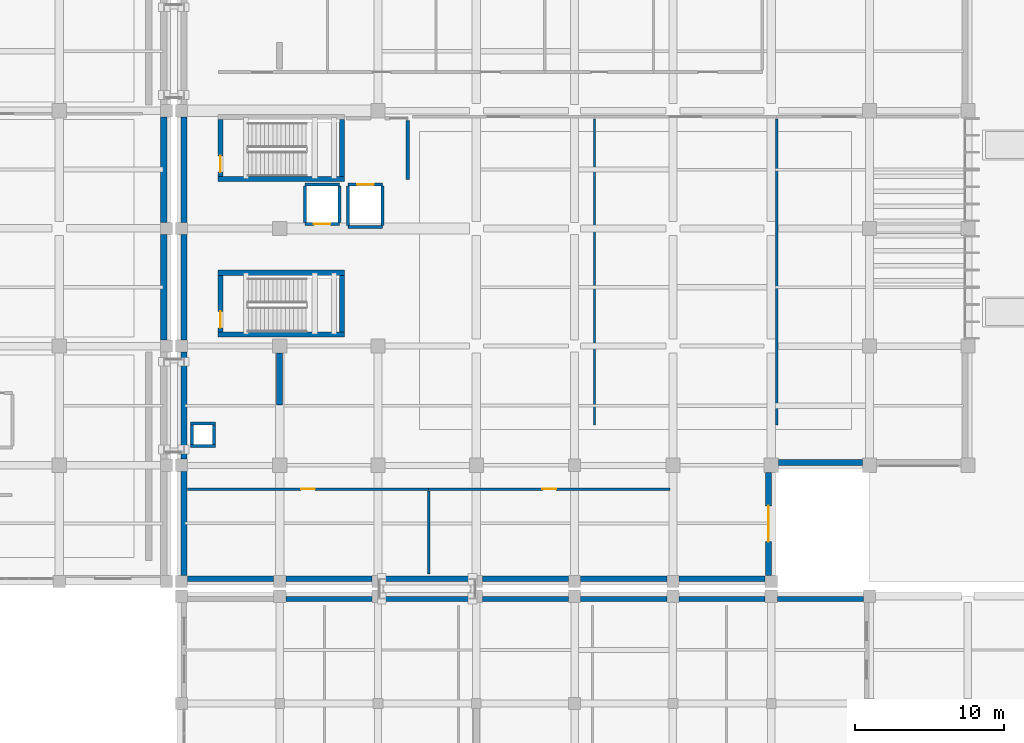
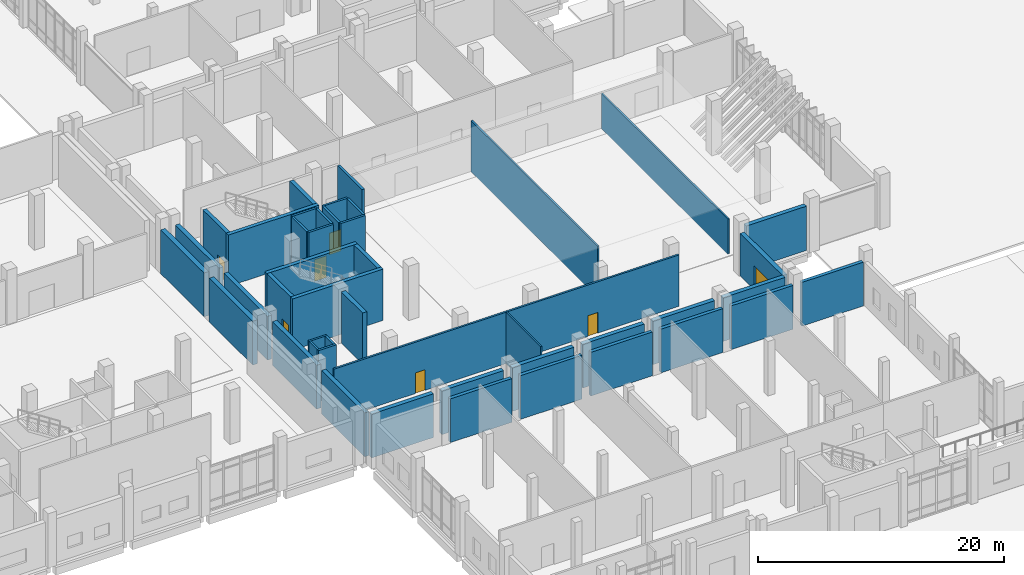
# One storey, part 55 of 79: 46 walls, 7 doors, 7 openings.
"""IFC4 building model written with IfcOpenShell, lengths in metres."""

from ifc_helpers import new_model, si_unit, direction, frame, frame_2d, origin, place, context, subcontext, project, spatial, rectangle, extrude, material, layer, layer_set, type_object, element, fill, save


model = new_model("IFC4")

# Units and contexts
model_context = context("Model", 3, precision=1e-05, world=origin(), true_north=direction((0.0, 1.0)))
body_context = subcontext(model_context, "Body", "Model", "MODEL_VIEW")
ifc_project = project(units=[si_unit("LENGTHUNIT", "METRE"), si_unit("AREAUNIT", "SQUARE_METRE"), si_unit("VOLUMEUNIT", "CUBIC_METRE"), si_unit("PLANEANGLEUNIT", "RADIAN"), si_unit("MASSUNIT", "GRAM", prefix="KILO")], contexts=[model_context])

# Site, building, storey
site_placement = place(None, origin())
site = spatial("IfcSite", under=ifc_project, at=site_placement, CompositionType="ELEMENT")
building_placement = place(site_placement, origin())
building = spatial("IfcBuilding", under=site, at=building_placement, Name="Kelarvand Opera House", CompositionType="ELEMENT")
storey_placement = place(building_placement, origin())
storey = spatial("IfcBuildingStorey", under=building, at=storey_placement, Name="L00", CompositionType="ELEMENT", Elevation=0.0)

# Walls
ifc_material_1 = material(Name="Concrete C35/45", Category="concrete")
ifc_layer_1 = layer(ifc_material_1, 0.39990234375, Name="Concrete C35/45", Category="concrete")
ifc_layer_set_1 = layer_set([ifc_layer_1], Name="Concrete C35/45")
wall_type_1 = type_object("IfcWallType", Name="Acoustic Brick-Travertine Double Wall 400", PredefinedType="SOLIDWALL", material=ifc_layer_set_1)
for number, where, z_axis, x_axis, name in (
    (1, (128.18994140625, 38.97998046875, 0.0), (0.0, 0.0, 1.0), (-1.0, 0.0, 0.0), "V1 L00 Exterior Wall EW-400 (57)"),
    (2, (121.590087890625, 38.97998046875, 0.0), (0.0, 0.0, 1.0), (-1.0, 0.0, 0.0), "V1 L00 Exterior Wall EW-400 (58)"),
    (3, (114.989990234375, 38.97998046875, 0.0), (0.0, 0.0, 1.0), (-1.0, 0.0, 0.0), "V1 L00 Exterior Wall EW-400 (59)"),
):
    element("IfcWall", number, at=place(storey_placement, frame(where, z_axis=z_axis, x_axis=x_axis)), inside=storey, type_object=wall_type_1, Name=name, PredefinedType="SOLIDWALL", context=body_context, shape_type="SweptSolid", body=[
        extrude(rectangle(XDim=5.780029296875, YDim=0.39990234375, at=frame_2d((2.89013671875, 0.0))), origin(), (0.0, 0.0, 1.0), 4.342041015625),
    ])
wall_1_placement = place(storey_placement, frame((108.389892578125, 38.97998046875, 0.0), z_axis=(0.0, 0.0, 1.0), x_axis=(-1.0, 0.0, 0.0)))
element("IfcWall", 4, at=wall_1_placement, inside=storey, type_object=wall_type_1, Name="V1 L00 Exterior Wall EW-400 (60)", PredefinedType="SOLIDWALL", context=body_context, shape_type="SweptSolid", body=[
    extrude(rectangle(XDim=5.77978515625, YDim=0.39990234375, at=frame_2d((2.889892578125, 0.0))), origin(), (0.0, 0.0, 1.0), 4.342041015625),
])
for number, where, z_axis, x_axis, name in (
    (5, (101.7900390625, 38.97998046875, 0.0), (0.0, 0.0, 1.0), (-1.0, 0.0, 0.0), "V1 L00 Exterior Wall EW-400 (61)"),
    (6, (95.18994140625, 38.97998046875, 0.0), (0.0, 0.0, 1.0), (-1.0, 0.0, 0.0), "V1 L00 Exterior Wall EW-400 (62)"),
):
    element("IfcWall", number, at=place(storey_placement, frame(where, z_axis=z_axis, x_axis=x_axis)), inside=storey, type_object=wall_type_1, Name=name, PredefinedType="SOLIDWALL", context=body_context, shape_type="SweptSolid", body=[
        extrude(rectangle(XDim=5.780029296875, YDim=0.39990234375, at=frame_2d((2.89013671875, 0.0))), origin(), (0.0, 0.0, 1.0), 4.342041015625),
    ])
wall_2_placement = place(storey_placement, frame((89.179931640625, 39.2099609375, 0.0), z_axis=(0.0, 0.0, 1.0), x_axis=(0.0, 1.0, 0.0)))
element("IfcWall", 7, at=wall_2_placement, inside=storey, type_object=wall_type_1, Name="V1 L00 Exterior Wall EW-400 (63)", PredefinedType="SOLIDWALL", context=body_context, shape_type="SweptSolid", body=[
    extrude(rectangle(XDim=6.97998046875, YDim=0.39990234375, at=frame_2d((3.489990234375, 0.0))), origin(), (0.0, 0.0, 1.0), 4.342041015625),
])
wall_3_placement = place(storey_placement, frame((89.179931640625, 47.010009765625, 0.0), z_axis=(0.0, 0.0, 1.0), x_axis=(0.0, 1.0, 0.0)))
element("IfcWall", 8, at=wall_3_placement, inside=storey, type_object=wall_type_1, Name="V1 L00 Exterior Wall EW-400 (64)", PredefinedType="SOLIDWALL", context=body_context, shape_type="SweptSolid", body=[
    extrude(rectangle(XDim=7.179931640625, YDim=0.39990234375, at=frame_2d((3.58984375, 0.0))), origin(), (0.0, 0.0, 1.0), 4.342041015625),
])
for number, where, z_axis, x_axis, name in (
    (9, (89.179931640625, 55.010009765625, 0.0), (0.0, 0.0, 1.0), (0.0, 1.0, 0.0), "V1 L00 Exterior Wall EW-400 (65)"),
    (10, (89.179931640625, 62.909912109375, 0.0), (0.0, 0.0, 1.0), (0.0, 1.0, 0.0), "V1 L00 Exterior Wall EW-400 (66)"),
):
    element("IfcWall", number, at=place(storey_placement, frame(where, z_axis=z_axis, x_axis=x_axis)), inside=storey, type_object=wall_type_1, Name=name, PredefinedType="SOLIDWALL", context=body_context, shape_type="SweptSolid", body=[
        extrude(rectangle(XDim=7.080078125, YDim=0.39990234375, at=frame_2d((3.5400390625, 0.0))), origin(), (0.0, 0.0, 1.0), 4.342041015625),
    ])
wall_4_placement = place(storey_placement, frame((134.72509765625, 46.780029296875, 0.0), z_axis=(0.0, 0.0, 1.0), x_axis=(-1.0, 0.0, 0.0)))
element("IfcWall", 11, at=wall_4_placement, inside=storey, type_object=wall_type_1, Name="V1 L00 Exterior Wall EW-400 (81)", PredefinedType="SOLIDWALL", context=body_context, shape_type="SweptSolid", body=[
    extrude(rectangle(XDim=5.650146484375, YDim=0.39990234375, at=frame_2d((2.8251953125, 0.0))), origin(), (0.0, 0.0, 1.0), 4.39208984375),
])

# Wall, opening, door
wall_5_placement = place(storey_placement, frame((128.419921875, 46.125, 0.0), z_axis=(0.0, 0.0, 1.0), x_axis=(0.0, -1.0, 0.0)))
wall_5 = element("IfcWall", 12, at=wall_5_placement, inside=storey, type_object=wall_type_1, Name="V1 L00 Exterior Wall EW-400 (82)", PredefinedType="SOLIDWALL", context=body_context, shape_type="SweptSolid", body=[
    extrude(rectangle(XDim=6.9150390625, YDim=0.39990234375, at=frame_2d((3.45751953125, 0.0))), origin(), (0.0, 0.0, 1.0), 4.241943359375),
])
opening_1_placement = place(wall_5_placement, frame((2.257080078125, 0.0, 0.0)))
opening_1 = element("IfcOpeningElement", 13, at=opening_1_placement, cuts=wall_5, Name="Opening EX-240", PredefinedType="OPENING", context=body_context, shape_type="SweptSolid", body=[
    extrude(rectangle(XDim=2.39990234375, YDim=2.39990234375, at=frame_2d((1.199951171875, 1.199951171875))), frame((0.0, 0.2099609375, 0.0), z_axis=(0.0, -1.0, 0.0), x_axis=(1.0, 0.0, 0.0)), (0.0, 0.0, 1.0), 0.419921875),
])
ifc_material_2 = material(Name="Thermally broken bronze-anodised aluminium and safety glass", Category="aluminium")
door_type_1 = type_object("IfcDoorType", Name="Glazed Bronze Double Final Exit Door 2400x2400", OperationType="NOTDEFINED", PredefinedType="DOOR", material=ifc_material_2)
door_1_placement = place(opening_1_placement, origin())
door_1 = element("IfcDoor", 14, at=door_1_placement, inside=storey, type_object=door_type_1, Name="V1 Ground Final Exit Door E01", OperationType="DOUBLE_DOOR_SINGLE_SWING", OverallHeight=2.39990234375, OverallWidth=2.39990234375, PredefinedType="DOOR", context=body_context, shape_type="SweptSolid", body=[
    extrude(rectangle(XDim=2.39990234375, YDim=2.39990234375, at=frame_2d((1.199951171875, 1.199951171875))), frame((0.0, 0.02490234375, 0.0), z_axis=(0.0, -1.0, 0.0), x_axis=(1.0, 0.0, 0.0)), (0.0, 0.0, 1.0), 0.050048828125),
])
fill(opening_1, door_1)

# Walls
ifc_material_3 = material(Name="Acoustic double-stud gypsum partition")
ifc_layer_2 = layer(ifc_material_3, 0.14990234375, Name="Acoustic double-stud gypsum partition")
ifc_layer_set_2 = layer_set([ifc_layer_2], Name="Acoustic double-stud gypsum partition")
wall_type_2 = type_object("IfcWallType", Name="Acoustic Room Partition Wall 150", PredefinedType="PARTITIONING", material=ifc_layer_set_2)
wall_6_placement = place(storey_placement, frame((116.73291015625, 49.300048828125, 0.0), z_axis=(0.0, 0.0, 1.0), x_axis=(0.0, 1.0, 0.0)))
element("IfcWall", 15, at=wall_6_placement, inside=storey, type_object=wall_type_2, Name="V1 L00 Partition Wall IW-150 (245)", PredefinedType="PARTITIONING", context=body_context, shape_type="SweptSolid", body=[
    extrude(rectangle(XDim=20.56005859375, YDim=0.14990234375, at=frame_2d((10.280029296875, 0.0))), origin(), (0.0, 0.0, 1.0), 5.092041015625),
])
wall_7_placement = place(storey_placement, frame((128.967041015625, 49.300048828125, 0.0), z_axis=(0.0, 0.0, 1.0), x_axis=(0.0, 1.0, 0.0)))
element("IfcWall", 16, at=wall_7_placement, inside=storey, type_object=wall_type_2, Name="V1 L00 Partition Wall IW-150 (247)", PredefinedType="PARTITIONING", context=body_context, shape_type="SweptSolid", body=[
    extrude(rectangle(XDim=20.56005859375, YDim=0.14990234375, at=frame_2d((10.280029296875, 0.0))), origin(), (0.0, 0.0, 1.0), 3.491943359375),
])
wall_8_placement = place(storey_placement, frame((105.60009765625, 39.300048828125, 0.0), z_axis=(0.0, 0.0, 1.0), x_axis=(0.0, 1.0, 0.0)))
element("IfcWall", 17, at=wall_8_placement, inside=storey, type_object=wall_type_2, Name="V1 L00 Partition Wall IW-150 (261)", PredefinedType="PARTITIONING", context=body_context, shape_type="SweptSolid", body=[
    extrude(rectangle(XDim=5.56005859375, YDim=0.14990234375, at=frame_2d((2.780029296875, 0.0))), origin(), (0.0, 0.0, 1.0), 5.092041015625),
])
ifc_material_4 = material(Name="Concrete C40/50", Category="concrete")
ifc_layer_3 = layer(ifc_material_4, 0.35009765625, Name="Concrete C40/50", Category="concrete")
ifc_layer_set_3 = layer_set([ifc_layer_3], Name="Concrete C40/50")
wall_type_3 = type_object("IfcWallType", Name="Core Stair and Lift Shear Wall 350", PredefinedType="SHEAR", material=ifc_layer_set_3)
wall_9_placement = place(storey_placement, frame((91.449951171875, 65.824951171875, 0.0), z_axis=(0.0, 0.0, 1.0), x_axis=(1.0, 0.0, 0.0)))
element("IfcWall", 18, at=wall_9_placement, inside=storey, type_object=wall_type_3, Name="C1 Stair Core Shear Wall S L00", PredefinedType="SHEAR", context=body_context, shape_type="SweptSolid", body=[
    extrude(rectangle(XDim=8.5, YDim=0.35009765625, at=frame_2d((4.25, 0.0))), origin(), (0.0, 0.0, 1.0), 5.10009765625),
])

# Wall, opening, door
wall_10_placement = place(storey_placement, frame((91.625, 66.0, 0.0), z_axis=(0.0, 0.0, 1.0), x_axis=(0.0, 1.0, 0.0)))
wall_10 = element("IfcWall", 19, at=wall_10_placement, inside=storey, type_object=wall_type_3, Name="C1 Stair Core Shear Wall W L00", PredefinedType="SHEAR", context=body_context, shape_type="SweptSolid", body=[
    extrude(rectangle(XDim=3.800048828125, YDim=0.35009765625, at=frame_2d((1.89990234375, 0.0))), origin(), (0.0, 0.0, 1.0), 5.10009765625),
])
opening_2_placement = place(wall_10_placement, frame((0.280029296875, 0.0, 0.0)))
opening_2 = element("IfcOpeningElement", 20, at=opening_2_placement, cuts=wall_10, Name="Opening FD-01", PredefinedType="OPENING", context=body_context, shape_type="SweptSolid", body=[
    extrude(rectangle(XDim=1.10009765625, YDim=2.080078125, at=frame_2d((0.550048828125, 1.0400390625))), frame((0.0, 0.18505859375, 0.0), z_axis=(0.0, -1.0, 0.0), x_axis=(1.0, 0.0, 0.0)), (0.0, 0.0, 1.0), 0.3701171875),
])
ifc_material_5 = material(Name="Fire-rated brushed stainless steel", Category="steel")
door_type_2 = type_object("IfcDoorType", Name="Steel Fire-Rated Stair and FF Lobby Door 1100x2080", OperationType="NOTDEFINED", PredefinedType="DOOR", material=ifc_material_5)
door_2_placement = place(opening_2_placement, origin())
door_2 = element("IfcDoor", 21, at=door_2_placement, inside=storey, type_object=door_type_2, Name="C1 Stair ST-01 Fire Door L00", OperationType="SINGLE_SWING_RIGHT", OverallHeight=2.080078125, OverallWidth=1.10009765625, PredefinedType="DOOR", context=body_context, shape_type="SweptSolid", body=[
    extrude(rectangle(XDim=1.10009765625, YDim=2.080078125, at=frame_2d((0.550048828125, 1.0400390625))), frame((0.0, 0.02490234375, 0.0), z_axis=(0.0, -1.0, 0.0), x_axis=(1.0, 0.0, 0.0)), (0.0, 0.0, 1.0), 0.050048828125),
])
fill(opening_2, door_2)

# Walls
wall_11_placement = place(storey_placement, frame((99.77490234375, 69.800048828125, 0.0), z_axis=(0.0, 0.0, 1.0), x_axis=(0.0, -1.0, 0.0)))
element("IfcWall", 22, at=wall_11_placement, inside=storey, type_object=wall_type_3, Name="C1 Stair Core Shear Wall E L00", PredefinedType="SHEAR", context=body_context, shape_type="SweptSolid", body=[
    extrude(rectangle(XDim=3.800048828125, YDim=0.35009765625, at=frame_2d((1.89990234375, 0.0))), origin(), (0.0, 0.0, 1.0), 5.10009765625),
])
for number, where, z_axis, x_axis, name in (
    (23, (91.449951171875, 55.375, 0.0), (0.0, 0.0, 1.0), (1.0, 0.0, 0.0), "C4 Stair Core Shear Wall S L00"),
    (24, (99.949951171875, 59.52490234375, 0.0), (0.0, 0.0, 1.0), (-1.0, 0.0, 0.0), "C4 Stair Core Shear Wall N L00"),
):
    element("IfcWall", number, at=place(storey_placement, frame(where, z_axis=z_axis, x_axis=x_axis)), inside=storey, type_object=wall_type_3, Name=name, PredefinedType="SHEAR", context=body_context, shape_type="SweptSolid", body=[
        extrude(rectangle(XDim=8.5, YDim=0.35009765625, at=frame_2d((4.25, 0.0))), origin(), (0.0, 0.0, 1.0), 5.10009765625),
    ])

# Wall, opening, door
wall_12_placement = place(storey_placement, frame((91.625, 55.550048828125, 0.0), z_axis=(0.0, 0.0, 1.0), x_axis=(0.0, 1.0, 0.0)))
wall_12 = element("IfcWall", 25, at=wall_12_placement, inside=storey, type_object=wall_type_3, Name="C4 Stair Core Shear Wall W L00", PredefinedType="SHEAR", context=body_context, shape_type="SweptSolid", body=[
    extrude(rectangle(XDim=3.800048828125, YDim=0.35009765625, at=frame_2d((1.89990234375, 0.0))), origin(), (0.0, 0.0, 1.0), 5.10009765625),
])
opening_3_placement = place(wall_12_placement, frame((0.280029296875, 0.0, 0.0)))
opening_3 = element("IfcOpeningElement", 26, at=opening_3_placement, cuts=wall_12, Name="Opening FD-01", PredefinedType="OPENING", context=body_context, shape_type="SweptSolid", body=[
    extrude(rectangle(XDim=1.10009765625, YDim=2.080078125, at=frame_2d((0.550048828125, 1.0400390625))), frame((0.0, 0.18505859375, 0.0), z_axis=(0.0, -1.0, 0.0), x_axis=(1.0, 0.0, 0.0)), (0.0, 0.0, 1.0), 0.3701171875),
])
door_3_placement = place(opening_3_placement, origin())
door_3 = element("IfcDoor", 27, at=door_3_placement, inside=storey, type_object=door_type_2, Name="C4 Stair ST-04 Fire Door L00", OperationType="SINGLE_SWING_LEFT", OverallHeight=2.080078125, OverallWidth=1.10009765625, PredefinedType="DOOR", context=body_context, shape_type="SweptSolid", body=[
    extrude(rectangle(XDim=1.10009765625, YDim=2.080078125, at=frame_2d((0.550048828125, 1.0400390625))), frame((0.0, 0.02490234375, 0.0), z_axis=(0.0, -1.0, 0.0), x_axis=(1.0, 0.0, 0.0)), (0.0, 0.0, 1.0), 0.050048828125),
])
fill(opening_3, door_3)

# Wall
wall_13_placement = place(storey_placement, frame((99.77490234375, 59.35009765625, 0.0), z_axis=(0.0, 0.0, 1.0), x_axis=(0.0, -1.0, 0.0)))
element("IfcWall", 28, at=wall_13_placement, inside=storey, type_object=wall_type_3, Name="C4 Stair Core Shear Wall E L00", PredefinedType="SHEAR", context=body_context, shape_type="SweptSolid", body=[
    extrude(rectangle(XDim=3.800048828125, YDim=0.35009765625, at=frame_2d((1.89990234375, 0.0))), origin(), (0.0, 0.0, 1.0), 5.10009765625),
])

# Wall, opening, door
ifc_layer_4 = layer(ifc_material_1, 0.179931640625, Name="Concrete C35/45", Category="concrete")
ifc_layer_set_4 = layer_set([ifc_layer_4], Name="Concrete C35/45")
wall_type_4 = type_object("IfcWallType", Name="Corridor Fire-Rated Partition Wall 180 EI90", PredefinedType="PARTITIONING", material=ifc_layer_set_4)
wall_14_placement = place(storey_placement, frame((89.39990234375, 45.0, 0.0), z_axis=(0.0, 0.0, 1.0), x_axis=(1.0, 0.0, 0.0)))
wall_14 = element("IfcWall", 29, at=wall_14_placement, inside=storey, type_object=wall_type_4, Name="V1 L00 Partition Wall IW-90 (260)", PredefinedType="PARTITIONING", context=body_context, shape_type="SweptSolid", body=[
    extrude(rectangle(XDim=16.2001953125, YDim=0.179931640625, at=frame_2d((8.10009765625, 0.0))), origin(), (0.0, 0.0, 1.0), 5.092041015625),
])
opening_4_placement = place(wall_14_placement, frame((7.639892578125, 0.0, 0.0)))
opening_4 = element("IfcOpeningElement", 30, at=opening_4_placement, cuts=wall_14, Name="Opening D-01", PredefinedType="OPENING", context=body_context, shape_type="SweptSolid", body=[
    extrude(rectangle(XDim=0.919921875, YDim=2.050048828125, at=frame_2d((0.4599609375, 1.02490234375))), frame((0.0, 0.10009765625, 0.0), z_axis=(0.0, -1.0, 0.0), x_axis=(1.0, 0.0, 0.0)), (0.0, 0.0, 1.0), 0.199951171875),
])
ifc_material_6 = material(Name="Acoustic walnut-veneered hardwood", Category="wood")
door_type_3 = type_object("IfcDoorType", Name="Solid Timber Dressing and WC Door 920x2050", OperationType="NOTDEFINED", PredefinedType="DOOR", material=ifc_material_6)
door_4_placement = place(opening_4_placement, origin())
door_4 = element("IfcDoor", 31, at=door_4_placement, inside=storey, type_object=door_type_3, Name="V1 L00 Door D-01 (110)", OperationType="SINGLE_SWING_RIGHT", OverallHeight=2.050048828125, OverallWidth=0.919921875, PredefinedType="DOOR", context=body_context, shape_type="SweptSolid", body=[
    extrude(rectangle(XDim=0.919921875, YDim=2.050048828125, at=frame_2d((0.4599609375, 1.02490234375))), frame((0.0, 0.02490234375, 0.0), z_axis=(0.0, -1.0, 0.0), x_axis=(1.0, 0.0, 0.0)), (0.0, 0.0, 1.0), 0.050048828125),
])
fill(opening_4, door_4)

wall_15_placement = place(storey_placement, frame((105.60009765625, 45.0, 0.0), z_axis=(0.0, 0.0, 1.0), x_axis=(1.0, 0.0, 0.0)))
wall_15 = element("IfcWall", 32, at=wall_15_placement, inside=storey, type_object=wall_type_4, Name="V1 L00 Partition Wall IW-90 (262)", PredefinedType="PARTITIONING", context=body_context, shape_type="SweptSolid", body=[
    extrude(rectangle(XDim=16.199951171875, YDim=0.179931640625, at=frame_2d((8.10009765625, 0.0))), origin(), (0.0, 0.0, 1.0), 5.092041015625),
])
opening_5_placement = place(wall_15_placement, frame((7.639892578125, 0.0, 0.0)))
opening_5 = element("IfcOpeningElement", 33, at=opening_5_placement, cuts=wall_15, Name="Opening D-01", PredefinedType="OPENING", context=body_context, shape_type="SweptSolid", body=[
    extrude(rectangle(XDim=0.919921875, YDim=2.050048828125, at=frame_2d((0.4599609375, 1.02490234375))), frame((0.0, 0.10009765625, 0.0), z_axis=(0.0, -1.0, 0.0), x_axis=(1.0, 0.0, 0.0)), (0.0, 0.0, 1.0), 0.199951171875),
])
door_5_placement = place(opening_5_placement, origin())
door_5 = element("IfcDoor", 34, at=door_5_placement, inside=storey, type_object=door_type_3, Name="V1 L00 Door D-01 (111)", OperationType="SINGLE_SWING_LEFT", OverallHeight=2.050048828125, OverallWidth=0.919921875, PredefinedType="DOOR", context=body_context, shape_type="SweptSolid", body=[
    extrude(rectangle(XDim=0.919921875, YDim=2.050048828125, at=frame_2d((0.4599609375, 1.02490234375))), frame((0.0, 0.02490234375, 0.0), z_axis=(0.0, -1.0, 0.0), x_axis=(1.0, 0.0, 0.0)), (0.0, 0.0, 1.0), 0.050048828125),
])
fill(opening_5, door_5)

# Walls
ifc_layer_5 = layer(ifc_material_1, 0.239990234375, Name="Concrete C35/45", Category="concrete")
ifc_layer_set_5 = layer_set([ifc_layer_5], Name="Concrete C35/45")
wall_type_5 = type_object("IfcWallType", Name="Firefighting Lobby Partition Wall 240 EI120", PredefinedType="PARTITIONING", material=ifc_layer_set_5)
wall_16_placement = place(storey_placement, frame((104.199951171875, 69.760009765625, 0.0), z_axis=(0.0, 0.0, 1.0), x_axis=(0.0, -1.0, 0.0)))
element("IfcWall", 35, at=wall_16_placement, inside=storey, type_object=wall_type_5, Name="V1 L00 Partition Wall IW-120 (220)", PredefinedType="PARTITIONING", context=body_context, shape_type="SweptSolid", body=[
    extrude(rectangle(XDim=3.9599609375, YDim=0.239990234375, at=frame_2d((1.97998046875, 0.0))), origin(), (0.0, 0.0, 1.0), 5.092041015625),
])
ifc_layer_6 = layer(ifc_material_1, 0.320068359375, Name="Concrete C35/45", Category="concrete")
ifc_layer_set_6 = layer_set([ifc_layer_6], Name="Concrete C35/45")
wall_type_6 = type_object("IfcWallType", Name="Insulated Buff Brick Cavity Wall 320", PredefinedType="SOLIDWALL", material=ifc_layer_set_6)
wall_17_placement = place(storey_placement, frame((96.010009765625, 37.6201171875, 0.0), z_axis=(0.0, 0.0, 1.0), x_axis=(1.0, 0.0, 0.0)))
element("IfcWall", 36, at=wall_17_placement, inside=storey, type_object=wall_type_6, Name="V6 L00 Exterior Wall EW-320 (710)", PredefinedType="SOLIDWALL", context=body_context, shape_type="SweptSolid", body=[
    extrude(rectangle(XDim=5.780029296875, YDim=0.320068359375, at=frame_2d((2.89013671875, 0.0))), origin(), (0.0, 0.0, 1.0), 4.342041015625),
])
wall_18_placement = place(storey_placement, frame((102.610107421875, 37.6201171875, 0.0), z_axis=(0.0, 0.0, 1.0), x_axis=(1.0, 0.0, 0.0)))
element("IfcWall", 37, at=wall_18_placement, inside=storey, type_object=wall_type_6, Name="V6 L00 Exterior Wall EW-320 (711)", PredefinedType="SOLIDWALL", context=body_context, shape_type="SweptSolid", body=[
    extrude(rectangle(XDim=5.77978515625, YDim=0.320068359375, at=frame_2d((2.889892578125, 0.0))), origin(), (0.0, 0.0, 1.0), 4.342041015625),
])
for number, where, z_axis, x_axis, name in (
    (38, (109.2099609375, 37.6201171875, 0.0), (0.0, 0.0, 1.0), (1.0, 0.0, 0.0), "V6 L00 Exterior Wall EW-320 (712)"),
    (39, (115.81005859375, 37.6201171875, 0.0), (0.0, 0.0, 1.0), (1.0, 0.0, 0.0), "V6 L00 Exterior Wall EW-320 (713)"),
    (40, (122.409912109375, 37.6201171875, 0.0), (0.0, 0.0, 1.0), (1.0, 0.0, 0.0), "V6 L00 Exterior Wall EW-320 (714)"),
    (41, (129.010009765625, 37.6201171875, 0.0), (0.0, 0.0, 1.0), (1.0, 0.0, 0.0), "V6 L00 Exterior Wall EW-320 (715)"),
):
    element("IfcWall", number, at=place(storey_placement, frame(where, z_axis=z_axis, x_axis=x_axis)), inside=storey, type_object=wall_type_6, Name=name, PredefinedType="SOLIDWALL", context=body_context, shape_type="SweptSolid", body=[
        extrude(rectangle(XDim=5.780029296875, YDim=0.320068359375, at=frame_2d((2.89013671875, 0.0))), origin(), (0.0, 0.0, 1.0), 4.342041015625),
    ])
ifc_layer_7 = layer(ifc_material_1, 0.199951171875, Name="Concrete C35/45", Category="concrete")
ifc_layer_set_7 = layer_set([ifc_layer_7], Name="Concrete C35/45")
wall_type_7 = type_object("IfcWallType", Name="Lift and Riser Shaft Enclosure Wall 200 EI120", PredefinedType="PARTITIONING", material=ifc_layer_set_7)
for number, where, z_axis, x_axis, name in (
    (42, (89.60009765625, 47.89990234375, 0.0), (0.0, 0.0, 1.0), (1.0, 0.0, 0.0), "RSR-V1 L00 Riser Shaft Wall 9"),
    (43, (91.300048828125, 49.39990234375, 0.0), (0.0, 0.0, 1.0), (-1.0, 0.0, 0.0), "RSR-V1 L00 Riser Shaft Wall 10"),
):
    element("IfcWall", number, at=place(storey_placement, frame(where, z_axis=z_axis, x_axis=x_axis)), inside=storey, type_object=wall_type_7, Name=name, PredefinedType="PARTITIONING", context=body_context, shape_type="SweptSolid", body=[
        extrude(rectangle(XDim=1.699951171875, YDim=0.199951171875, at=frame_2d((0.85009765625, 0.0))), origin(), (0.0, 0.0, 1.0), 5.10009765625),
    ])
for number, where, z_axis, x_axis, name in (
    (44, (89.699951171875, 48.0, 0.0), (0.0, 0.0, 1.0), (0.0, 1.0, 0.0), "RSR-V1 L00 Riser Shaft Wall 11"),
    (45, (91.199951171875, 49.300048828125, 0.0), (0.0, 0.0, 1.0), (0.0, -1.0, 0.0), "RSR-V1 L00 Riser Shaft Wall 12"),
):
    element("IfcWall", number, at=place(storey_placement, frame(where, z_axis=z_axis, x_axis=x_axis)), inside=storey, type_object=wall_type_7, Name=name, PredefinedType="PARTITIONING", context=body_context, shape_type="SweptSolid", body=[
        extrude(rectangle(XDim=1.300048828125, YDim=0.199951171875, at=frame_2d((0.64990234375, 0.0))), origin(), (0.0, 0.0, 1.0), 5.10009765625),
    ])
wall_19_placement = place(storey_placement, frame((100.199951171875, 62.60009765625, 0.0), z_axis=(0.0, 0.0, 1.0), x_axis=(1.0, 0.0, 0.0)))
element("IfcWall", 46, at=wall_19_placement, inside=storey, type_object=wall_type_7, Name="V1 L00 Partition Wall SW-200 (210)", PredefinedType="PARTITIONING", context=body_context, shape_type="SweptSolid", body=[
    extrude(rectangle(XDim=2.300048828125, YDim=0.199951171875, at=frame_2d((1.14990234375, 0.0))), origin(), (0.0, 0.0, 1.0), 5.092041015625),
])

# Wall, opening, door
wall_20_placement = place(storey_placement, frame((102.5, 65.449951171875, 0.0), z_axis=(0.0, 0.0, 1.0), x_axis=(-1.0, 0.0, 0.0)))
wall_20 = element("IfcWall", 47, at=wall_20_placement, inside=storey, type_object=wall_type_7, Name="V1 L00 Partition Wall SW-200 (211)", PredefinedType="PARTITIONING", context=body_context, shape_type="SweptSolid", body=[
    extrude(rectangle(XDim=2.300048828125, YDim=0.199951171875, at=frame_2d((1.14990234375, 0.0))), origin(), (0.0, 0.0, 1.0), 5.092041015625),
])
opening_6_placement = place(wall_20_placement, frame((0.60009765625, 0.0, 0.0)))
opening_6 = element("IfcOpeningElement", 48, at=opening_6_placement, cuts=wall_20, Name="Opening LD-01", PredefinedType="OPENING", context=body_context, shape_type="SweptSolid", body=[
    extrude(rectangle(XDim=1.10009765625, YDim=2.14990234375, at=frame_2d((0.550048828125, 1.074951171875))), frame((0.0, 0.10986328125, 0.0), z_axis=(0.0, -1.0, 0.0), x_axis=(1.0, 0.0, 0.0)), (0.0, 0.0, 1.0), 0.219970703125),
])
door_type_4 = type_object("IfcDoorType", Name="Passenger Lift Sliding Landing Door 1100x2150", OperationType="SLIDING_TO_LEFT", PredefinedType="DOOR", material=ifc_material_5)
door_6_placement = place(opening_6_placement, origin())
door_6 = element("IfcDoor", 49, at=door_6_placement, inside=storey, type_object=door_type_4, Name="V1 L00 Door LD-01 (92)", OperationType="SLIDING_TO_LEFT", OverallHeight=2.14990234375, OverallWidth=1.10009765625, PredefinedType="DOOR", context=body_context, shape_type="SweptSolid", body=[
    extrude(rectangle(XDim=1.10009765625, YDim=2.14990234375, at=frame_2d((0.550048828125, 1.074951171875))), frame((0.0, 0.02490234375, 0.0), z_axis=(0.0, -1.0, 0.0), x_axis=(1.0, 0.0, 0.0)), (0.0, 0.0, 1.0), 0.050048828125),
])
fill(opening_6, door_6)

# Walls
for number, where, z_axis, x_axis, name in (
    (50, (100.199951171875, 62.699951171875, 0.0), (0.0, 0.0, 1.0), (0.0, 1.0, 0.0), "V1 L00 Partition Wall SW-200 (212)"),
    (51, (102.5, 65.35009765625, 0.0), (0.0, 0.0, 1.0), (0.0, -1.0, 0.0), "V1 L00 Partition Wall SW-200 (213)"),
):
    element("IfcWall", number, at=place(storey_placement, frame(where, z_axis=z_axis, x_axis=x_axis)), inside=storey, type_object=wall_type_7, Name=name, PredefinedType="PARTITIONING", context=body_context, shape_type="SweptSolid", body=[
        extrude(rectangle(XDim=2.650146484375, YDim=0.199951171875, at=frame_2d((1.3251953125, 0.0))), origin(), (0.0, 0.0, 1.0), 5.092041015625),
    ])

# Wall, opening, door
wall_21_placement = place(storey_placement, frame((97.300048828125, 62.800048828125, 0.0), z_axis=(0.0, 0.0, 1.0), x_axis=(1.0, 0.0, 0.0)))
wall_21 = element("IfcWall", 52, at=wall_21_placement, inside=storey, type_object=wall_type_7, Name="V1 L00 Partition Wall SW-200 (214)", PredefinedType="PARTITIONING", context=body_context, shape_type="SweptSolid", body=[
    extrude(rectangle(XDim=2.300048828125, YDim=0.199951171875, at=frame_2d((1.14990234375, 0.0))), origin(), (0.0, 0.0, 1.0), 5.092041015625),
])
opening_7_placement = place(wall_21_placement, frame((0.60009765625, 0.0, 0.0)))
opening_7 = element("IfcOpeningElement", 53, at=opening_7_placement, cuts=wall_21, Name="Opening LD-01", PredefinedType="OPENING", context=body_context, shape_type="SweptSolid", body=[
    extrude(rectangle(XDim=1.10009765625, YDim=2.14990234375, at=frame_2d((0.550048828125, 1.074951171875))), frame((0.0, 0.10986328125, 0.0), z_axis=(0.0, -1.0, 0.0), x_axis=(1.0, 0.0, 0.0)), (0.0, 0.0, 1.0), 0.219970703125),
])
door_7_placement = place(opening_7_placement, origin())
door_7 = element("IfcDoor", 54, at=door_7_placement, inside=storey, type_object=door_type_4, Name="V1 L00 Door LD-01 (93)", OperationType="SLIDING_TO_LEFT", OverallHeight=2.14990234375, OverallWidth=1.10009765625, PredefinedType="DOOR", context=body_context, shape_type="SweptSolid", body=[
    extrude(rectangle(XDim=1.10009765625, YDim=2.14990234375, at=frame_2d((0.550048828125, 1.074951171875))), frame((0.0, 0.02490234375, 0.0), z_axis=(0.0, -1.0, 0.0), x_axis=(1.0, 0.0, 0.0)), (0.0, 0.0, 1.0), 0.050048828125),
])
fill(opening_7, door_7)

# Walls
wall_22_placement = place(storey_placement, frame((99.60009765625, 65.449951171875, 0.0), z_axis=(0.0, 0.0, 1.0), x_axis=(-1.0, 0.0, 0.0)))
element("IfcWall", 55, at=wall_22_placement, inside=storey, type_object=wall_type_7, Name="V1 L00 Partition Wall SW-200 (215)", PredefinedType="PARTITIONING", context=body_context, shape_type="SweptSolid", body=[
    extrude(rectangle(XDim=2.300048828125, YDim=0.199951171875, at=frame_2d((1.14990234375, 0.0))), origin(), (0.0, 0.0, 1.0), 5.092041015625),
])
for number, where, z_axis, x_axis, name in (
    (56, (97.300048828125, 62.89990234375, 0.0), (0.0, 0.0, 1.0), (0.0, 1.0, 0.0), "V1 L00 Partition Wall SW-200 (216)"),
    (57, (99.60009765625, 65.35009765625, 0.0), (0.0, 0.0, 1.0), (0.0, -1.0, 0.0), "V1 L00 Partition Wall SW-200 (217)"),
):
    element("IfcWall", number, at=place(storey_placement, frame(where, z_axis=z_axis, x_axis=x_axis)), inside=storey, type_object=wall_type_7, Name=name, PredefinedType="PARTITIONING", context=body_context, shape_type="SweptSolid", body=[
        extrude(rectangle(XDim=2.4501953125, YDim=0.199951171875, at=frame_2d((1.22509765625, 0.0))), origin(), (0.0, 0.0, 1.0), 5.092041015625),
    ])
ifc_layer_8 = layer(ifc_material_4, 0.39990234375, Name="Concrete C40/50", Category="concrete")
ifc_layer_set_8 = layer_set([ifc_layer_8], Name="Concrete C40/50")
wall_type_8 = type_object("IfcWallType", Name="Seismic Compartment Shear Wall 400", PredefinedType="SHEAR", material=ifc_layer_set_8)
wall_23_placement = place(storey_placement, frame((95.60009765625, 50.64990234375, 0.0), z_axis=(0.0, 0.0, 1.0), x_axis=(0.0, 1.0, 0.0)))
element("IfcWall", 58, at=wall_23_placement, inside=storey, type_object=wall_type_8, Name="V1 Shear Wall CW-120 L00", PredefinedType="SHEAR", context=body_context, shape_type="SweptSolid", body=[
    extrude(rectangle(XDim=3.47509765625, YDim=0.39990234375, at=frame_2d((1.737548828125, 0.0))), origin(), (0.0, 0.0, 1.0), 5.080078125),
])
ifc_layer_9 = layer(ifc_material_1, 0.43994140625, Name="Concrete C35/45", Category="concrete")
ifc_layer_set_9 = layer_set([ifc_layer_9], Name="Concrete C35/45")
wall_type_9 = type_object("IfcWallType", Name="Stage House Acoustic Cavity Wall 440", PredefinedType="SOLIDWALL", material=ifc_layer_set_9)
for number, where, z_axis, x_axis, name in (
    (59, (87.820068359375, 69.989990234375, 0.0), (0.0, 0.0, 1.0), (0.0, -1.0, 0.0), "V2 L00 Exterior Wall EW-440 (222)"),
    (60, (87.820068359375, 62.090087890625, 0.0), (0.0, 0.0, 1.0), (0.0, -1.0, 0.0), "V2 L00 Exterior Wall EW-440 (223)"),
):
    element("IfcWall", number, at=place(storey_placement, frame(where, z_axis=z_axis, x_axis=x_axis)), inside=storey, type_object=wall_type_9, Name=name, PredefinedType="SOLIDWALL", context=body_context, shape_type="SweptSolid", body=[
        extrude(rectangle(XDim=7.080078125, YDim=0.43994140625, at=frame_2d((3.5400390625, 0.0))), origin(), (0.0, 0.0, 1.0), 4.342041015625),
    ])

save(model, "model.ifc")
